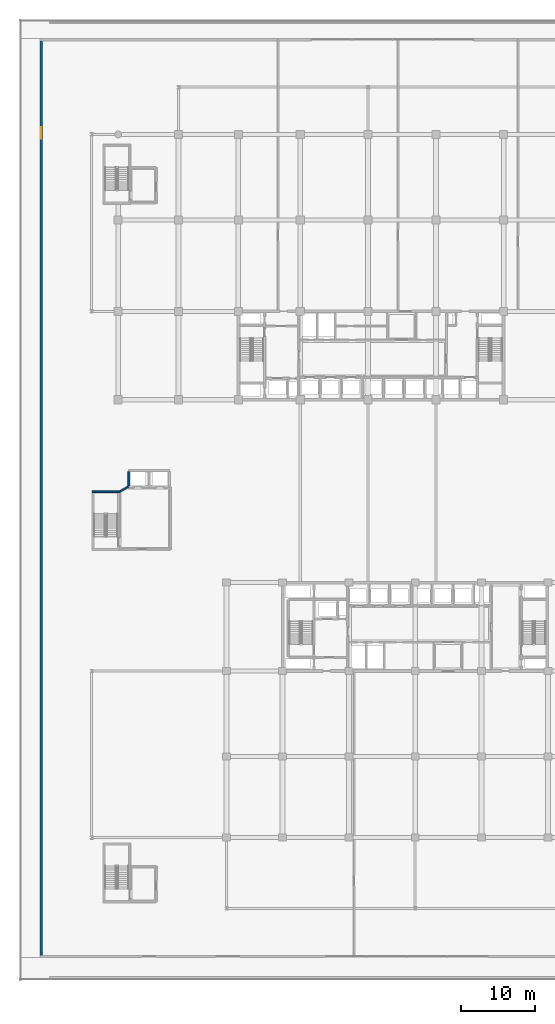
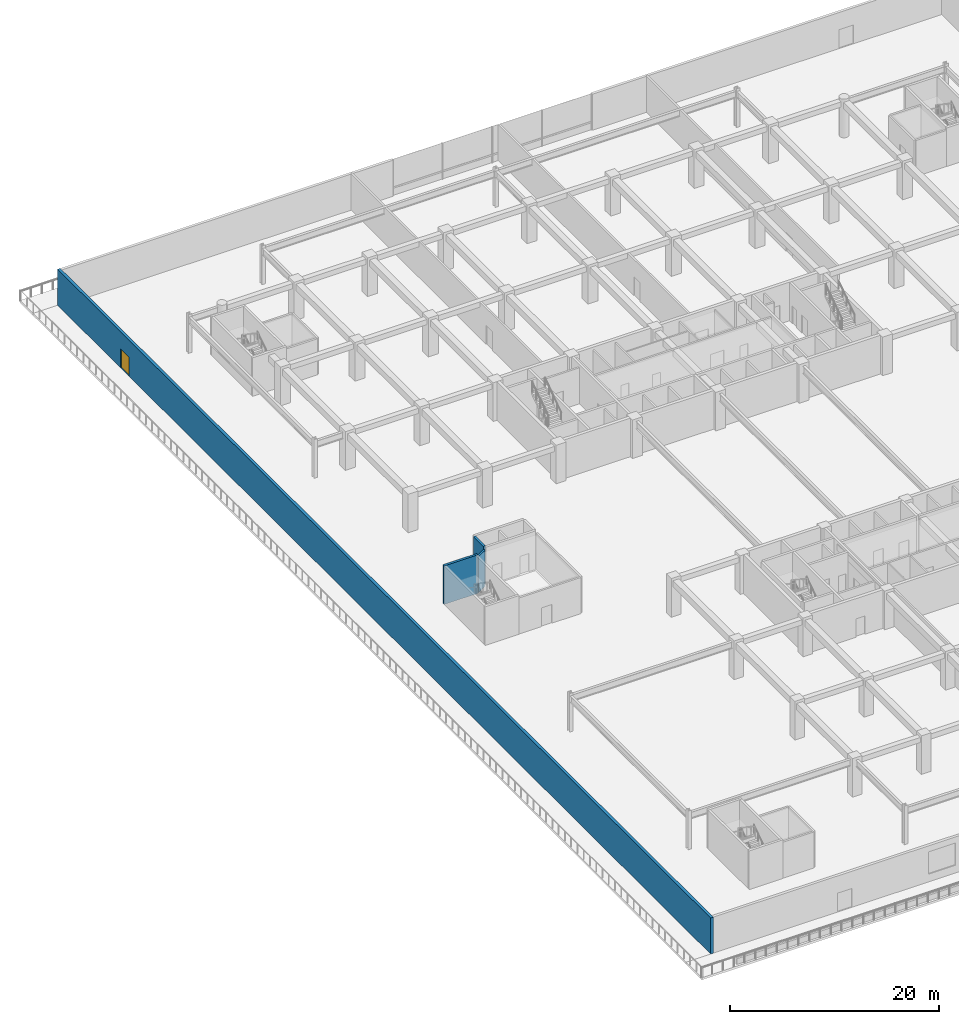
# One storey, part 23 of 43: 4 walls, 1 door, 1 opening.
"""IFC4 building model written with IfcOpenShell, lengths in metres."""

from ifc_helpers import new_model, si_unit, direction, frame, frame_2d, origin, place, context, subcontext, project, spatial, rectangle, extrude, material, layer, layer_set, type_object, element, fill, save


model = new_model("IFC4")

# Units and contexts
model_context = context("Model", 3, precision=1e-05, world=origin(), true_north=direction((0.0, 1.0)))
body_context = subcontext(model_context, "Body", "Model", "MODEL_VIEW")
ifc_project = project(units=[si_unit("LENGTHUNIT", "METRE"), si_unit("AREAUNIT", "SQUARE_METRE"), si_unit("VOLUMEUNIT", "CUBIC_METRE"), si_unit("PLANEANGLEUNIT", "RADIAN"), si_unit("MASSUNIT", "GRAM", prefix="KILO")], contexts=[model_context])

# Site, building, storey
site_placement = place(None, origin())
site = spatial("IfcSite", under=ifc_project, at=site_placement, CompositionType="ELEMENT")
building_placement = place(site_placement, origin())
building = spatial("IfcBuilding", under=site, at=building_placement, Name="Korimba Cascade Residences", CompositionType="ELEMENT")
storey_placement = place(building_placement, frame((0.0, 0.0, 10.0)))
storey = spatial("IfcBuildingStorey", under=building, at=storey_placement, Name="L02", CompositionType="ELEMENT", Elevation=10.0)

# Wall, opening, door
ifc_material_1 = material(Name="Precast concrete C40/50", Category="concrete")
ifc_layer_1 = layer(ifc_material_1, 0.300048828125)
ifc_layer_set_1 = layer_set([ifc_layer_1], Name="Precast concrete C40/50")
wall_type_1 = type_object("IfcWallType", Name="EW-STONE-300", PredefinedType="STANDARD", material=ifc_layer_set_1)
wall_1_placement = place(storey_placement, frame((49.35009765625, 104.199951171875, 0.0), z_axis=(0.0, 0.0, 1.0), x_axis=(0.0, -1.0, 0.0)))
wall_1 = element("IfcWall", 1, at=wall_1_placement, inside=storey, type_object=wall_type_1, Name="L02 West Podium Wall", PredefinedType="STANDARD", context=body_context, shape_type="SweptSolid", body=[
    extrude(rectangle(XDim=124.699951171875, YDim=0.300048828125, at=frame_2d((62.35009765625, 0.0))), origin(), (0.0, 0.0, 1.0), 4.199951171875),
])
opening_placement = place(wall_1_placement, frame((12.0, 0.0, 0.0)))
opening = element("IfcOpeningElement", 2, at=opening_placement, cuts=wall_1, Name="Opening D-TR1", PredefinedType="OPENING", context=body_context, shape_type="SweptSolid", body=[
    extrude(rectangle(XDim=1.60009765625, YDim=2.199951171875, at=frame_2d((0.800048828125, 1.10009765625))), frame((0.0, 0.16015625, 0.0), z_axis=(0.0, -1.0, 0.0), x_axis=(1.0, 0.0, 0.0)), (0.0, 0.0, 1.0), 0.320068359375),
])
ifc_material_2 = material(Name="Glazed Aluminium Terrace Door", Category="aluminium")
door_type = type_object("IfcDoorType", Name="DR-EXT-TER", OperationType="NOTDEFINED", PredefinedType="DOOR", material=ifc_material_2)
door_placement = place(opening_placement, frame((1.60009765625, 0.0, 0.0), z_axis=(0.0, 0.0, 1.0), x_axis=(-1.0, 0.0, 0.0)))
door = element("IfcDoor", 3, at=door_placement, inside=storey, type_object=door_type, Name="L02 West Terrace Access Door", OperationType="DOUBLE_DOOR_SINGLE_SWING", OverallHeight=2.199951171875, OverallWidth=1.60009765625, PredefinedType="DOOR", context=body_context, shape_type="SweptSolid", body=[
    extrude(rectangle(XDim=1.60009765625, YDim=2.199951171875, at=frame_2d((0.800048828125, 1.10009765625))), frame((0.0, 0.02490234375, 0.0), z_axis=(0.0, -1.0, 0.0), x_axis=(1.0, 0.0, 0.0)), (0.0, 0.0, 1.0), 0.050048828125),
])
fill(opening, door)

# Walls
ifc_material_3 = material(Name="Concrete C40/50", Category="concrete")
ifc_layer_2 = layer(ifc_material_3, 0.199951171875)
ifc_layer_set_2 = layer_set([ifc_layer_2], Name="Concrete C40/50")
wall_type_2 = type_object("IfcWallType", Name="WAL-PART-200", PredefinedType="PARTITIONING", material=ifc_layer_set_2)
wall_2_placement = place(storey_placement, frame((60.02001953125, 42.72509765625, 0.0), z_axis=(0.0, 0.0, 1.0), x_axis=(0.851822584555, 0.523830396638, 0.0)))
element("IfcWall", 4, at=wall_2_placement, inside=storey, type_object=wall_type_2, Name="L02 Partition Wall CW-L02-PLOBN", PredefinedType="PARTITIONING", context=body_context, shape_type="SweptSolid", body=[
    extrude(rectangle(XDim=1.326416015625, YDim=0.199951171875, at=frame_2d((0.6630859375, 0.0))), origin(), (0.0, 0.0, 1.0), 4.199951171875),
])
ifc_material_4 = material(Name="Concrete C50/60", Category="concrete")
ifc_layer_3 = layer(ifc_material_4, 0.25)
ifc_layer_set_3 = layer_set([ifc_layer_3], Name="Concrete C50/60")
wall_type_3 = type_object("IfcWallType", Name="WAL-SHAFT-250", PredefinedType="SHEAR", material=ifc_layer_set_3)
wall_3_placement = place(storey_placement, frame((56.25, 42.72509765625, 0.0), z_axis=(0.0, 0.0, 1.0), x_axis=(1.0, 0.0, 0.0)))
element("IfcWall", 5, at=wall_3_placement, inside=storey, type_object=wall_type_3, Name="L02 Core Shear Wall CW-L02-STP1N", PredefinedType="SHEAR", context=body_context, shape_type="SweptSolid", body=[
    extrude(rectangle(XDim=3.739990234375, YDim=0.25, at=frame_2d((1.8701171875, 0.0))), origin(), (0.0, 0.0, 1.0), 4.5),
])
wall_4_placement = place(storey_placement, frame((61.25, 43.550048828125, 0.0), z_axis=(0.0, 0.0, 1.0), x_axis=(0.0, 1.0, 0.0)))
element("IfcWall", 6, at=wall_4_placement, inside=storey, type_object=wall_type_3, Name="L02 Core Shear Wall CW-L02-SHPW", PredefinedType="SHEAR", context=body_context, shape_type="SweptSolid", body=[
    extrude(rectangle(XDim=1.89990234375, YDim=0.25, at=frame_2d((0.949951171875, 0.0))), origin(), (0.0, 0.0, 1.0), 4.5),
])

save(model, "model.ifc")
